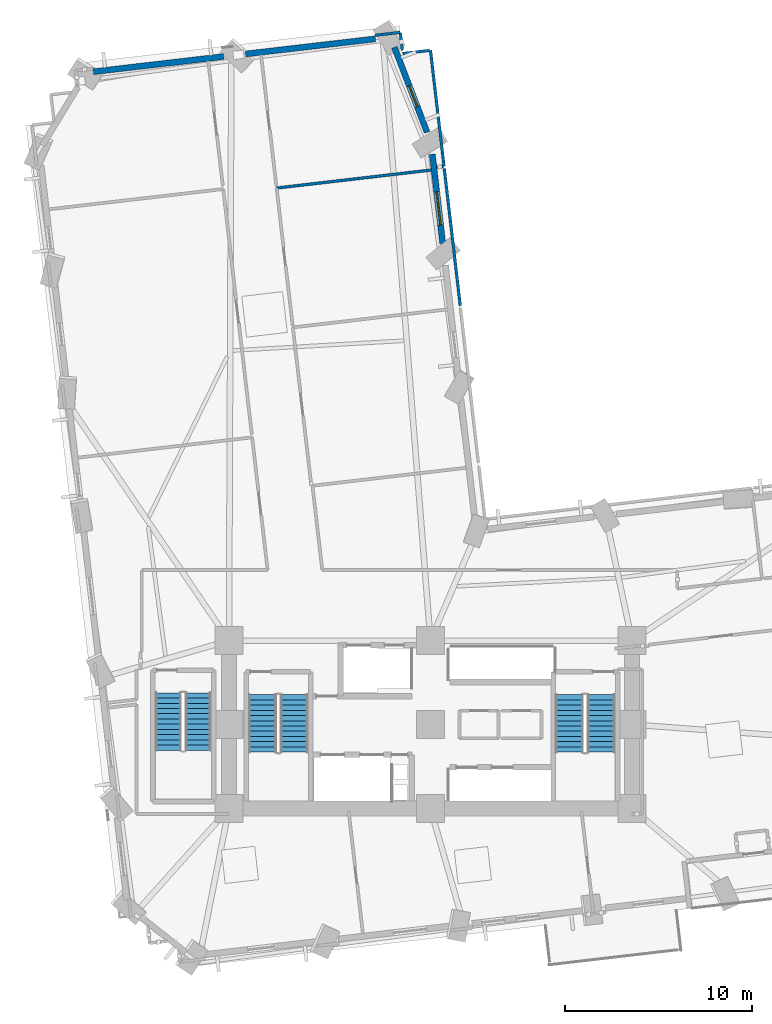
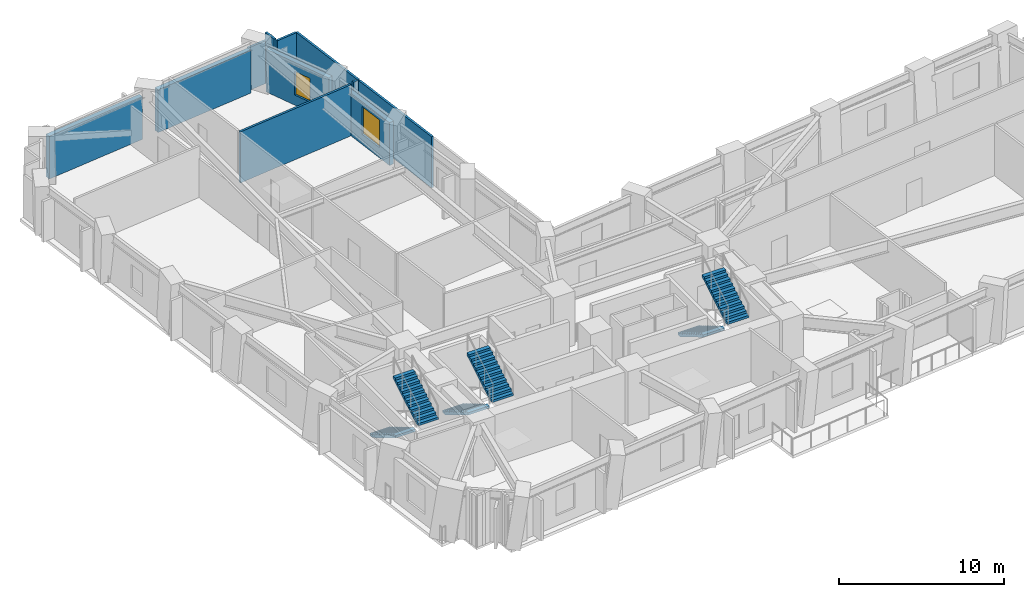
# One storey, part 10 of 14: 11 walls, 6 stair flights, 2 windows, 2 openings, 3 elements without a shape of their own.
"""IFC4 building model written with IfcOpenShell, lengths in metres."""

from ifc_helpers import new_model, si_unit, direction, frame, frame_2d, origin, place, context, subcontext, project, spatial, polyline, rectangle, outline, extrude, material, layer, layer_set, type_object, element, fill, aggregate, save


model = new_model("IFC4")

# Units and contexts
model_context = context("Model", 3, precision=1e-05, world=origin(), true_north=direction((0.0, 1.0)))
body_context = subcontext(model_context, "Body", "Model", "MODEL_VIEW")
ifc_project = project(units=[si_unit("LENGTHUNIT", "METRE"), si_unit("AREAUNIT", "SQUARE_METRE"), si_unit("VOLUMEUNIT", "CUBIC_METRE"), si_unit("PLANEANGLEUNIT", "RADIAN"), si_unit("MASSUNIT", "GRAM", prefix="KILO")], contexts=[model_context])

# Site, building, storey
site_placement = place(None, origin())
site = spatial("IfcSite", under=ifc_project, at=site_placement, CompositionType="ELEMENT")
building_placement = place(site_placement, origin())
building = spatial("IfcBuilding", under=site, at=building_placement, Name="Gaonmaruhae Medical Tower", CompositionType="ELEMENT")
storey_placement = place(building_placement, frame((0.0, 0.0, 51.0)))
storey = spatial("IfcBuildingStorey", under=building, at=storey_placement, Name="L11", CompositionType="ELEMENT", Elevation=51.0)

# Wall, opening, window
ifc_material_1 = material(Name="Precast concrete C45/55", Category="concrete")
ifc_layer_1 = layer(ifc_material_1, 0.320068359375)
ifc_layer_set_1 = layer_set([ifc_layer_1], Name="Precast concrete C45/55")
wall_type_1 = type_object("IfcWallType", Name="EW-320 Lower Precast Masonry-Frame Facade Wall", PredefinedType="SOLIDWALL", material=ifc_layer_set_1)
wall_1_placement = place(storey_placement, frame((25.456298828125, 38.08837890625, 0.0), z_axis=(0.0, 0.0, 1.0), x_axis=(-0.115776512347, 0.993275288723, 0.0)))
wall_1 = element("IfcWall", 1, at=wall_1_placement, inside=storey, type_object=wall_type_1, Name="L11 Precast Masonry-Frame Wall NE02-NE03", PredefinedType="SOLIDWALL", context=body_context, shape_type="SweptSolid", body=[
    extrude(rectangle(XDim=4.81640625, YDim=0.320068359375, at=frame_2d((2.408203125, 0.0))), origin(), (0.0, 0.0, 1.0), 3.1650390625),
])
opening_1_placement = place(wall_1_placement, frame((0.986083984375, 0.0, 0.75)))
opening_1 = element("IfcOpeningElement", 2, at=opening_1_placement, cuts=wall_1, Name="Opening WN-04", PredefinedType="OPENING", context=body_context, shape_type="SweptSolid", body=[
    extrude(rectangle(XDim=1.800048828125, YDim=2.050048828125, at=frame_2d((0.89990234375, 1.02490234375))), frame((0.0, 0.169921875, 0.0), z_axis=(0.0, -1.0, 0.0), x_axis=(1.0, 0.0, 0.0)), (0.0, 0.0, 1.0), 0.340087890625),
])
ifc_material_2 = material(Name="Anodised aluminium and Low-E double glazing", Category="aluminium")
window_type_1 = type_object("IfcWindowType", Name="WN-04 Clinic & Consult Punched Window 1800x2050", PartitioningType="SINGLE_PANEL", PredefinedType="WINDOW", material=ifc_material_2)
window_1_placement = place(opening_1_placement, origin())
window_1 = element("IfcWindow", 3, at=window_1_placement, inside=storey, type_object=window_type_1, Name="L11 Modular Facade Window NE02", OverallHeight=2.050048828125, OverallWidth=1.800048828125, PartitioningType="SINGLE_PANEL", PredefinedType="WINDOW", context=body_context, shape_type="SweptSolid", body=[
    extrude(rectangle(XDim=1.800048828125, YDim=2.050048828125, at=frame_2d((0.89990234375, 1.02490234375))), frame((0.0, 0.030029296875, 0.0), z_axis=(0.0, -1.0, 0.0), x_axis=(1.0, 0.0, 0.0)), (0.0, 0.0, 1.0), 0.06005859375),
])
fill(opening_1, window_1)

wall_2_placement = place(storey_placement, frame((22.865234375, 48.604736328125, 0.0), z_axis=(0.0, 0.0, 1.0), x_axis=(0.358898766582, -0.933376491747, 0.0)))
wall_2 = element("IfcWall", 4, at=wall_2_placement, inside=storey, type_object=wall_type_1, Name="L11 Precast Masonry-Frame Wall NE03-N01", PredefinedType="SOLIDWALL", context=body_context, shape_type="SweptSolid", body=[
    extrude(rectangle(XDim=4.888916015625, YDim=0.320068359375, at=frame_2d((2.4443359375, 0.0))), origin(), (0.0, 0.0, 1.0), 3.1650390625),
])
opening_2_placement = place(wall_2_placement, frame((2.21484375, 0.0, 0.75)))
opening_2 = element("IfcOpeningElement", 5, at=opening_2_placement, cuts=wall_2, Name="Opening WN-05", PredefinedType="OPENING", context=body_context, shape_type="SweptSolid", body=[
    extrude(rectangle(XDim=1.199951171875, YDim=1.75, at=frame_2d((0.60009765625, 0.875))), frame((0.0, 0.169921875, 0.0), z_axis=(0.0, -1.0, 0.0), x_axis=(1.0, 0.0, 0.0)), (0.0, 0.0, 1.0), 0.340087890625),
])
window_type_2 = type_object("IfcWindowType", Name="WN-05 Support & Staff Punched Window 1200x1750", PartitioningType="SINGLE_PANEL", PredefinedType="WINDOW", material=ifc_material_2)
window_2_placement = place(opening_2_placement, origin())
window_2 = element("IfcWindow", 6, at=window_2_placement, inside=storey, type_object=window_type_2, Name="L11 Modular Facade Window NE03", OverallHeight=1.75, OverallWidth=1.199951171875, PartitioningType="SINGLE_PANEL", PredefinedType="WINDOW", context=body_context, shape_type="SweptSolid", body=[
    extrude(rectangle(XDim=1.199951171875, YDim=1.75, at=frame_2d((0.60009765625, 0.875))), frame((0.0, 0.030029296875, 0.0), z_axis=(0.0, -1.0, 0.0), x_axis=(1.0, 0.0, 0.0)), (0.0, 0.0, 1.0), 0.06005859375),
])
fill(opening_2, window_2)

# Walls
wall_3_placement = place(storey_placement, frame((14.89208984375, 48.2412109375, 0.0), z_axis=(0.0, 0.0, 1.0), x_axis=(0.993270961566, 0.11581363007, 0.0)))
element("IfcWall", 7, at=wall_3_placement, inside=storey, type_object=wall_type_1, Name="L11 Precast Masonry-Frame Wall N01-N02", PredefinedType="SOLIDWALL", context=body_context, shape_type="SweptSolid", body=[
    extrude(rectangle(XDim=7.0029296875, YDim=0.320068359375, at=frame_2d((3.50146484375, 0.0))), origin(), (0.0, 0.0, 1.0), 3.1650390625),
])
wall_4_placement = place(storey_placement, frame((6.72802734375, 47.289306640625, 0.0), z_axis=(0.0, 0.0, 1.0), x_axis=(0.993271125932, 0.115812220379, 0.0)))
element("IfcWall", 8, at=wall_4_placement, inside=storey, type_object=wall_type_1, Name="L11 Precast Masonry-Frame Wall N02-N03", PredefinedType="SOLIDWALL", context=body_context, shape_type="SweptSolid", body=[
    extrude(rectangle(XDim=7.03466796875, YDim=0.320068359375, at=frame_2d((3.517333984375, 0.0))), origin(), (0.0, 0.0, 1.0), 3.1650390625),
])
ifc_material_3 = material(Name="Gypsum board partition", Category="gypsum")
ifc_layer_2 = layer(ifc_material_3, 0.14990234375)
ifc_layer_set_2 = layer_set([ifc_layer_2], Name="Gypsum board partition")
wall_type_2 = type_object("IfcWallType", Name="PW-150 Rated Clinical Corridor Partition", PredefinedType="PARTITIONING", material=ifc_layer_set_2)
wall_5_placement = place(storey_placement, frame((16.552978515625, 41.054931640625, 0.0), z_axis=(0.0, 0.0, 1.0), x_axis=(0.993268624582, 0.115833671357, 0.0)))
element("IfcWall", 9, at=wall_5_placement, inside=storey, type_object=wall_type_2, Name="L11 Interior Partition L11-IN02-85", PredefinedType="PARTITIONING", context=body_context, shape_type="SweptSolid", body=[
    extrude(rectangle(XDim=8.365478515625, YDim=0.14990234375, at=frame_2d((4.1826171875, 0.0))), origin(), (0.0, 0.0, 1.0), 3.780029296875),
])
wall_6_placement = place(storey_placement, frame((25.5419921875, 42.10302734375, 0.0), z_axis=(0.0, 0.0, 1.0), x_axis=(0.115803665483, -0.993272123368, 0.0)))
element("IfcWall", 10, at=wall_6_placement, inside=storey, type_object=wall_type_2, Name="L11 Interior Partition L11-IN02-86", PredefinedType="PARTITIONING", context=body_context, shape_type="SweptSolid", body=[
    extrude(rectangle(XDim=7.39990234375, YDim=0.14990234375, at=frame_2d((3.699951171875, 0.0))), origin(), (0.0, 0.0, 1.0), 3.780029296875),
])
wall_7_placement = place(storey_placement, frame((24.802978515625, 48.43994140625, 0.0), z_axis=(0.0, 0.0, 1.0), x_axis=(0.115827475013, -0.993269347172, 0.0)))
element("IfcWall", 11, at=wall_7_placement, inside=storey, type_object=wall_type_2, Name="L11 Interior Partition L11-IN03-87", PredefinedType="PARTITIONING", context=body_context, shape_type="SweptSolid", body=[
    extrude(rectangle(XDim=6.26025390625, YDim=0.14990234375, at=frame_2d((3.130126953125, 0.0))), origin(), (0.0, 0.0, 1.0), 3.780029296875),
])
wall_8_placement = place(storey_placement, frame((25.47802734375, 42.216064453125, 0.0), z_axis=(0.0, 0.0, 1.0), x_axis=(-0.993341292973, -0.115208835058, 0.0)))
element("IfcWall", 12, at=wall_8_placement, inside=storey, type_object=wall_type_2, Name="L11 Interior Partition L11-IN03-88", PredefinedType="PARTITIONING", context=body_context, shape_type="SweptSolid", body=[
    extrude(rectangle(XDim=0.364501953125, YDim=0.14990234375, at=frame_2d((0.18212890625, 0.0))), origin(), (0.0, 0.0, 1.0), 3.780029296875),
])
wall_9_placement = place(storey_placement, frame((21.825927734375, 49.240966796875, 0.0), z_axis=(0.0, 0.0, 1.0), x_axis=(0.993273434785, 0.115792416632, 0.0)))
element("IfcWall", 13, at=wall_9_placement, inside=storey, type_object=wall_type_2, Name="L11 Interior Partition L11-IN03-90", PredefinedType="PARTITIONING", context=body_context, shape_type="SweptSolid", body=[
    extrude(rectangle(XDim=1.3642578125, YDim=0.14990234375, at=frame_2d((0.68212890625, 0.0))), origin(), (0.0, 0.0, 1.0), 3.1650390625),
])
wall_10_placement = place(storey_placement, frame((23.18701171875, 49.34912109375, 0.0), z_axis=(0.0, 0.0, 1.0), x_axis=(0.115757899252, -0.993277458096, 0.0)))
element("IfcWall", 14, at=wall_10_placement, inside=storey, type_object=wall_type_2, Name="L11 Interior Partition L11-IN03-91", PredefinedType="PARTITIONING", context=body_context, shape_type="SweptSolid", body=[
    extrude(rectangle(XDim=0.915283203125, YDim=0.14990234375, at=frame_2d((0.45751953125, 0.0))), origin(), (0.0, 0.0, 1.0), 3.780029296875),
])
wall_11_placement = place(storey_placement, frame((23.31298828125, 48.26708984375, 0.0), z_axis=(0.0, 0.0, 1.0), x_axis=(0.993342384661, 0.115199422026, 0.0)))
element("IfcWall", 15, at=wall_11_placement, inside=storey, type_object=wall_type_2, Name="L11 Interior Partition L11-IN03-92", PredefinedType="PARTITIONING", context=body_context, shape_type="SweptSolid", body=[
    extrude(rectangle(XDim=1.44970703125, YDim=0.14990234375, at=frame_2d((0.724853515625, 0.0))), origin(), (0.0, 0.0, 1.0), 3.780029296875),
])

# Stair, stair flights
ifc_material_4 = material(Name="Concrete C40/50", Category="concrete")
stair_type_1 = type_object("IfcStairType", Name="ST-T1 Primary Core Escape Dogleg Stair", PredefinedType="TWO_QUARTER_TURN_STAIR", material=ifc_material_4)
stair_1_placement = place(storey_placement, origin())
stair_1 = element("IfcStair", 16, at=stair_1_placement, inside=storey, type_object=stair_type_1, Name="L11 Protected Escape Stair ST-01", PredefinedType="TWO_QUARTER_TURN_STAIR")
stair_flight_type_1 = type_object("IfcStairFlightType", Name="SF-T1 Primary Core Precast Stair Flight", PredefinedType="STRAIGHT", material=ifc_material_4)
stair_flight_1_placement = place(storey_placement, frame((15.800048828125, 13.89990234375, 0.0), z_axis=(0.0, 0.0, 1.0), x_axis=(0.0, -1.0, 0.0)))
stair_flight_1 = element("IfcStairFlight", 17, at=stair_flight_1_placement, type_object=stair_flight_type_1, Name="ST-01 flight 1", NumberOfRisers=12, NumberOfTreads=11, PredefinedType="STRAIGHT", RiserHeight=0.166666667, TreadLength=0.28, context=body_context, shape_type="SweptSolid", body=[
    extrude(outline(polyline([(0.0, 0.0), (0.0, 0.166748046875), (0.280029296875, 0.166748046875), (0.280029296875, 0.333251953125), (0.56005859375, 0.333251953125), (0.56005859375, 0.5), (0.840087890625, 0.5), (0.840087890625, 0.666748046875), (1.1201171875, 0.666748046875), (1.1201171875, 0.833251953125), (1.39990234375, 0.833251953125), (1.39990234375, 1.0), (1.679931640625, 1.0), (1.679931640625, 1.166748046875), (1.9599609375, 1.166748046875), (1.9599609375, 1.333251953125), (2.239990234375, 1.333251953125), (2.239990234375, 1.5), (2.52001953125, 1.5), (2.52001953125, 1.666748046875), (2.800048828125, 1.666748046875), (2.800048828125, 1.833251953125), (3.080078125, 1.833251953125), (3.080078125, 2.0), (3.080078125, 1.658935546875), (0.29296875, 0.0), (0.0, 0.0)])), frame((0.0, 0.75, 0.0), z_axis=(0.0, -1.0, 0.0), x_axis=(1.0, 0.0, 0.0)), (0.0, 0.0, 1.0), 1.5),
])
stair_flight_2_placement = place(storey_placement, frame((17.5, 10.820068359375, 2.0), z_axis=(0.0, 0.0, 1.0), x_axis=(0.0, 1.0, 0.0)))
stair_flight_2 = element("IfcStairFlight", 18, at=stair_flight_2_placement, type_object=stair_flight_type_1, Name="ST-01 flight 2", NumberOfRisers=12, NumberOfTreads=11, PredefinedType="STRAIGHT", RiserHeight=0.166666667, TreadLength=0.28, context=body_context, shape_type="SweptSolid", body=[
    extrude(outline(polyline([(0.0, 0.0), (0.0, 0.166748046875), (0.280029296875, 0.166748046875), (0.280029296875, 0.333251953125), (0.56005859375, 0.333251953125), (0.56005859375, 0.5), (0.840087890625, 0.5), (0.840087890625, 0.666748046875), (1.1201171875, 0.666748046875), (1.1201171875, 0.833251953125), (1.39990234375, 0.833251953125), (1.39990234375, 1.0), (1.679931640625, 1.0), (1.679931640625, 1.166748046875), (1.9599609375, 1.166748046875), (1.9599609375, 1.333251953125), (2.239990234375, 1.333251953125), (2.239990234375, 1.5), (2.52001953125, 1.5), (2.52001953125, 1.666748046875), (2.800048828125, 1.666748046875), (2.800048828125, 1.833251953125), (3.080078125, 1.833251953125), (3.080078125, 2.0), (3.080078125, 1.658935546875), (0.29296875, 0.0), (0.0, 0.0)])), frame((0.0, 0.75, 0.0), z_axis=(0.0, -1.0, 0.0), x_axis=(1.0, 0.0, 0.0)), (0.0, 0.0, 1.0), 1.5),
])
aggregate(stair_1, [stair_flight_1, stair_flight_2])

stair_2_placement = place(storey_placement, origin())
stair_2 = element("IfcStair", 19, at=stair_2_placement, inside=storey, type_object=stair_type_1, Name="L11 Protected Escape Stair ST-02", PredefinedType="TWO_QUARTER_TURN_STAIR")
stair_flight_3_placement = place(storey_placement, frame((32.25, 13.89990234375, 0.0), z_axis=(0.0, 0.0, 1.0), x_axis=(0.0, -1.0, 0.0)))
stair_flight_3 = element("IfcStairFlight", 20, at=stair_flight_3_placement, type_object=stair_flight_type_1, Name="ST-02 flight 1", NumberOfRisers=12, NumberOfTreads=11, PredefinedType="STRAIGHT", RiserHeight=0.166666667, TreadLength=0.28, context=body_context, shape_type="SweptSolid", body=[
    extrude(outline(polyline([(0.0, 0.0), (0.0, 0.166748046875), (0.280029296875, 0.166748046875), (0.280029296875, 0.333251953125), (0.56005859375, 0.333251953125), (0.56005859375, 0.5), (0.840087890625, 0.5), (0.840087890625, 0.666748046875), (1.1201171875, 0.666748046875), (1.1201171875, 0.833251953125), (1.39990234375, 0.833251953125), (1.39990234375, 1.0), (1.679931640625, 1.0), (1.679931640625, 1.166748046875), (1.9599609375, 1.166748046875), (1.9599609375, 1.333251953125), (2.239990234375, 1.333251953125), (2.239990234375, 1.5), (2.52001953125, 1.5), (2.52001953125, 1.666748046875), (2.800048828125, 1.666748046875), (2.800048828125, 1.833251953125), (3.080078125, 1.833251953125), (3.080078125, 2.0), (3.080078125, 1.658935546875), (0.29296875, 0.0), (0.0, 0.0)])), frame((0.0, 0.75, 0.0), z_axis=(0.0, -1.0, 0.0), x_axis=(1.0, 0.0, 0.0)), (0.0, 0.0, 1.0), 1.5),
])
stair_flight_4_placement = place(storey_placement, frame((33.949951171875, 10.820068359375, 2.0), z_axis=(0.0, 0.0, 1.0), x_axis=(0.0, 1.0, 0.0)))
stair_flight_4 = element("IfcStairFlight", 21, at=stair_flight_4_placement, type_object=stair_flight_type_1, Name="ST-02 flight 2", NumberOfRisers=12, NumberOfTreads=11, PredefinedType="STRAIGHT", RiserHeight=0.166666667, TreadLength=0.28, context=body_context, shape_type="SweptSolid", body=[
    extrude(outline(polyline([(0.0, 0.0), (0.0, 0.166748046875), (0.280029296875, 0.166748046875), (0.280029296875, 0.333251953125), (0.56005859375, 0.333251953125), (0.56005859375, 0.5), (0.840087890625, 0.5), (0.840087890625, 0.666748046875), (1.1201171875, 0.666748046875), (1.1201171875, 0.833251953125), (1.39990234375, 0.833251953125), (1.39990234375, 1.0), (1.679931640625, 1.0), (1.679931640625, 1.166748046875), (1.9599609375, 1.166748046875), (1.9599609375, 1.333251953125), (2.239990234375, 1.333251953125), (2.239990234375, 1.5), (2.52001953125, 1.5), (2.52001953125, 1.666748046875), (2.800048828125, 1.666748046875), (2.800048828125, 1.833251953125), (3.080078125, 1.833251953125), (3.080078125, 2.0), (3.080078125, 1.658935546875), (0.29296875, 0.0), (0.0, 0.0)])), frame((0.0, 0.75, 0.0), z_axis=(0.0, -1.0, 0.0), x_axis=(1.0, 0.0, 0.0)), (0.0, 0.0, 1.0), 1.5),
])
aggregate(stair_2, [stair_flight_3, stair_flight_4])

stair_type_2 = type_object("IfcStairType", Name="ST-T2 Zone 1 Escape Dogleg Stair", PredefinedType="TWO_QUARTER_TURN_STAIR", material=ifc_material_4)
stair_3_placement = place(storey_placement, origin())
stair_3 = element("IfcStair", 22, at=stair_3_placement, inside=storey, type_object=stair_type_2, Name="L11 Protected Escape Stair ST-03", PredefinedType="TWO_QUARTER_TURN_STAIR")
stair_flight_type_2 = type_object("IfcStairFlightType", Name="SF-T2 Zone 1 Precast Stair Flight", PredefinedType="STRAIGHT", material=ifc_material_4)
stair_flight_5_placement = place(storey_placement, frame((10.75, 14.0, 0.0), z_axis=(0.0, 0.0, 1.0), x_axis=(0.0, -1.0, 0.0)))
stair_flight_5 = element("IfcStairFlight", 23, at=stair_flight_5_placement, type_object=stair_flight_type_2, Name="ST-03 flight 1", NumberOfRisers=12, NumberOfTreads=11, PredefinedType="STRAIGHT", RiserHeight=0.166666667, TreadLength=0.28, context=body_context, shape_type="SweptSolid", body=[
    extrude(outline(polyline([(0.0, 0.0), (0.0, 0.166748046875), (0.280029296875, 0.166748046875), (0.280029296875, 0.333251953125), (0.56005859375, 0.333251953125), (0.56005859375, 0.5), (0.840087890625, 0.5), (0.840087890625, 0.666748046875), (1.1201171875, 0.666748046875), (1.1201171875, 0.833251953125), (1.39990234375, 0.833251953125), (1.39990234375, 1.0), (1.679931640625, 1.0), (1.679931640625, 1.166748046875), (1.9599609375, 1.166748046875), (1.9599609375, 1.333251953125), (2.239990234375, 1.333251953125), (2.239990234375, 1.5), (2.52001953125, 1.5), (2.52001953125, 1.666748046875), (2.800048828125, 1.666748046875), (2.800048828125, 1.833251953125), (3.080078125, 1.833251953125), (3.080078125, 2.0), (3.080078125, 1.658935546875), (0.29296875, 0.0), (0.0, 0.0)])), frame((0.0, 0.699951171875, 0.0), z_axis=(0.0, -1.0, 0.0), x_axis=(1.0, 0.0, 0.0)), (0.0, 0.0, 1.0), 1.39990234375),
])
stair_flight_6_placement = place(storey_placement, frame((12.35009765625, 10.919921875, 2.0), z_axis=(0.0, 0.0, 1.0), x_axis=(0.0, 1.0, 0.0)))
stair_flight_6 = element("IfcStairFlight", 24, at=stair_flight_6_placement, type_object=stair_flight_type_2, Name="ST-03 flight 2", NumberOfRisers=12, NumberOfTreads=11, PredefinedType="STRAIGHT", RiserHeight=0.166666667, TreadLength=0.28, context=body_context, shape_type="SweptSolid", body=[
    extrude(outline(polyline([(0.0, 0.0), (0.0, 0.166748046875), (0.280029296875, 0.166748046875), (0.280029296875, 0.333251953125), (0.56005859375, 0.333251953125), (0.56005859375, 0.5), (0.840087890625, 0.5), (0.840087890625, 0.666748046875), (1.1201171875, 0.666748046875), (1.1201171875, 0.833251953125), (1.39990234375, 0.833251953125), (1.39990234375, 1.0), (1.679931640625, 1.0), (1.679931640625, 1.166748046875), (1.9599609375, 1.166748046875), (1.9599609375, 1.333251953125), (2.239990234375, 1.333251953125), (2.239990234375, 1.5), (2.52001953125, 1.5), (2.52001953125, 1.666748046875), (2.800048828125, 1.666748046875), (2.800048828125, 1.833251953125), (3.080078125, 1.833251953125), (3.080078125, 2.0), (3.080078125, 1.658935546875), (0.29296875, 0.0), (0.0, 0.0)])), frame((0.0, 0.699951171875, 0.0), z_axis=(0.0, -1.0, 0.0), x_axis=(1.0, 0.0, 0.0)), (0.0, 0.0, 1.0), 1.39990234375),
])
aggregate(stair_3, [stair_flight_5, stair_flight_6])

save(model, "model.ifc")
